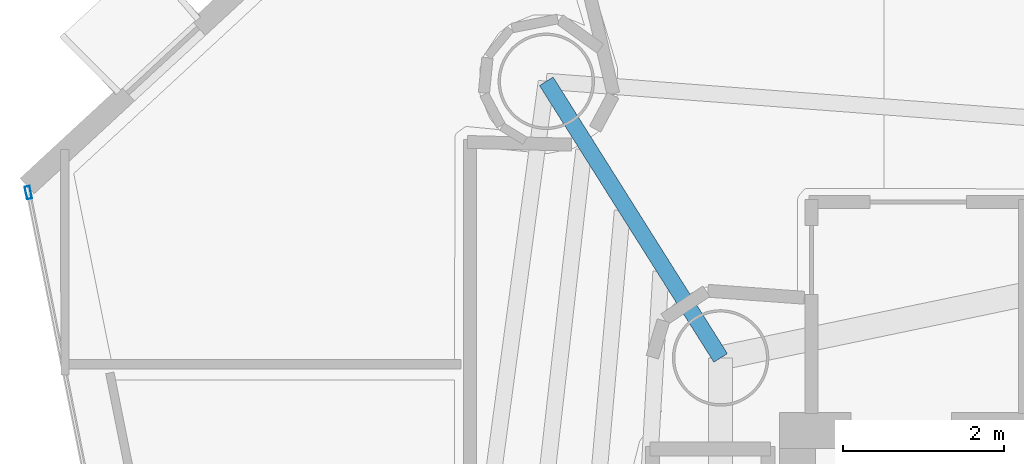
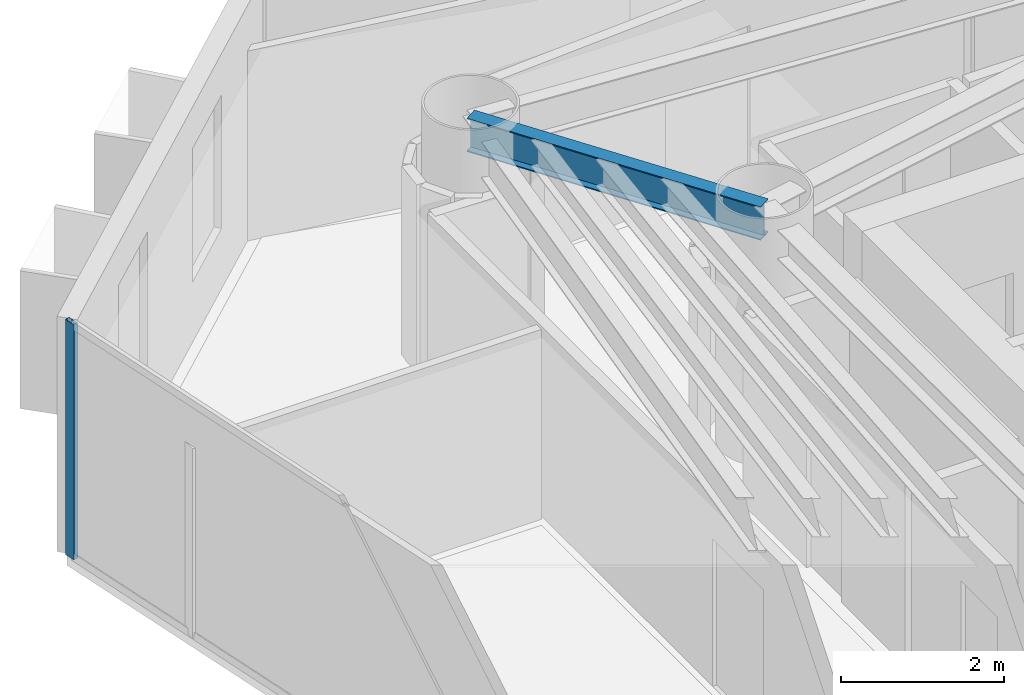
# One storey, part 10 of 22: 1 beam, 1 member, 1 element without a shape of its own.
"""IFC4 building model written with IfcOpenShell, lengths in metres."""

from ifc_helpers import new_model, si_unit, direction, frame, origin, origin_2d, place, context, subcontext, project, spatial, hollow_rectangle, i_section, extrude, material, layer, layer_set, material_profile, profile_set, type_object, element, aggregate, save


model = new_model("IFC4")

# Units and contexts
model_context = context("Model", 3, precision=1e-05, world=origin(), true_north=direction((0.0, 1.0)))
body_context = subcontext(model_context, "Body", "Model", "MODEL_VIEW")
ifc_project = project(units=[si_unit("LENGTHUNIT", "METRE"), si_unit("AREAUNIT", "SQUARE_METRE"), si_unit("VOLUMEUNIT", "CUBIC_METRE"), si_unit("PLANEANGLEUNIT", "RADIAN"), si_unit("MASSUNIT", "GRAM", prefix="KILO")], contexts=[model_context])

# Site, building, storey
site_placement = place(None, origin())
site = spatial("IfcSite", under=ifc_project, at=site_placement, CompositionType="ELEMENT")
building_placement = place(site_placement, origin())
building = spatial("IfcBuilding", under=site, at=building_placement, Name="Qianvela Tower", CompositionType="ELEMENT")
storey_placement = place(building_placement, frame((0.0, 0.0, 204.0)))
storey = spatial("IfcBuildingStorey", under=building, at=storey_placement, Name="L52", CompositionType="ELEMENT", Elevation=204.0)

# Beam
ifc_material_1 = material(Name="Steel Q355B", Category="steel")
ifc_material_profile_1 = material_profile(ifc_material_1, i_section(OverallWidth=0.199951171875, OverallDepth=0.5, WebThickness=0.010009765625, FlangeThickness=0.01611328125, at=origin_2d()), Name="HN500x200x10x16")
ifc_profile_set_1 = profile_set([ifc_material_profile_1], Name="Steel Q355B")
beam_type = type_object("IfcBeamType", Name="BM-HN500-GIRD", PredefinedType="BEAM", material=ifc_profile_set_1)
beam_placement = place(storey_placement, frame((28.60009765625, 33.550048828125, 3.26806640625), z_axis=(-0.533177693809, 0.846003278258, 0.0), x_axis=(-0.846003278258, -0.533177693809, 0.0)))
element("IfcBeam", 1, at=beam_placement, inside=storey, type_object=beam_type, Name="L52 Radial Primary Floor Girder 3", PredefinedType="BEAM", context=body_context, shape_type="SweptSolid", body=[
    extrude(i_section(OverallWidth=0.199951171875, OverallDepth=0.5, WebThickness=0.010009765625, FlangeThickness=0.01611328125, at=origin_2d()), origin(), (0.0, 0.0, 1.0), 4.068359375),
])

# Curtain wall, member
ifc_material_2 = material(Name="Anodised Architectural Aluminium and Low-E Glass", Category="aluminium")
ifc_layer = layer(ifc_material_2, 0.159912109375)
ifc_layer_set = layer_set([ifc_layer], Name="Anodised Architectural Aluminium and Low-E Glass")
curtain_wall_type = type_object("IfcCurtainWallType", Name="CW-COLIV-Z56", PredefinedType="USERDEFINED", material=ifc_layer_set)
curtain_wall_placement = place(storey_placement, origin())
curtain_wall = element("IfcCurtainWall", 2, at=curtain_wall_placement, inside=storey, type_object=curtain_wall_type, Name="L52 CW-COLIV-Z56 Curtain Wall 04A", ObjectType="CURTAIN_WALL_SYSTEM", PredefinedType="USERDEFINED")
ifc_material_3 = material(Name="Anodised Architectural Aluminium 6063-T6", Category="aluminium")
ifc_material_profile_2 = material_profile(ifc_material_3, hollow_rectangle(XDim=0.06494140625, YDim=0.159912109375, WallThickness=0.0048828125, at=origin_2d()), Name="ALU-MULL-65x160")
ifc_profile_set_2 = profile_set([ifc_material_profile_2], Name="Anodised Architectural Aluminium 6063-T6")
member_type = type_object("IfcMemberType", Name="CW-COLIV-Z56-MULL", PredefinedType="MULLION", material=ifc_profile_set_2)
member_placement = place(storey_placement, frame((19.986083984375, 35.607421875, 0.0), z_axis=(0.0, 0.0, 1.0), x_axis=(0.980407510802, 0.196979980613, 0.0)))
member = element("IfcMember", 3, at=member_placement, type_object=member_type, Name="CW-5 mullion 1", PredefinedType="MULLION", context=body_context, shape_type="SweptSolid", body=[
    extrude(hollow_rectangle(XDim=0.06494140625, YDim=0.159912109375, WallThickness=0.0048828125, at=origin_2d()), origin(), (0.0, 0.0, 1.0), 3.52001953125),
])
aggregate(curtain_wall, [member])

save(model, "model.ifc")
